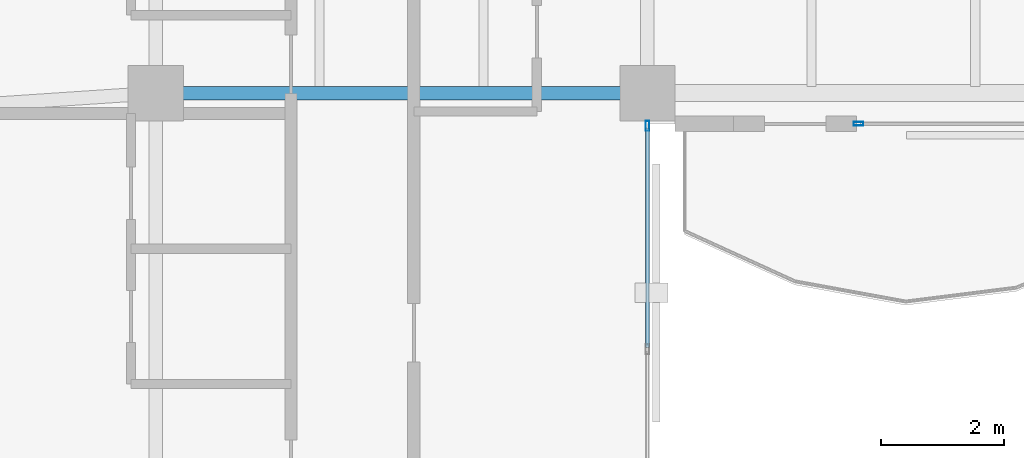
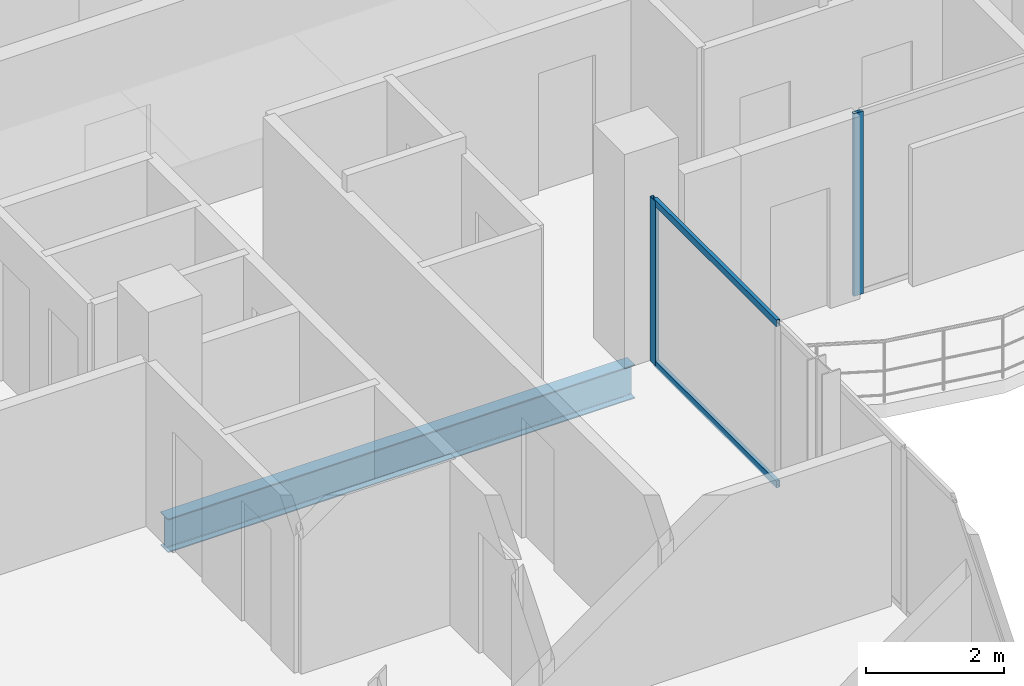
# One storey, part 8 of 24: 4 members, 1 beam, 2 elements without a shape of their own.
"""IFC4 building model written with IfcOpenShell, lengths in metres."""

from ifc_helpers import new_model, si_unit, direction, frame, origin, origin_2d, place, context, subcontext, project, spatial, hollow_rectangle, i_section, extrude, material, layer, layer_set, material_profile, profile_set, type_object, element, aggregate, save


model = new_model("IFC4")

# Units and contexts
model_context = context("Model", 3, precision=1e-05, world=origin(), true_north=direction((0.0, 1.0)))
body_context = subcontext(model_context, "Body", "Model", "MODEL_VIEW")
ifc_project = project(units=[si_unit("LENGTHUNIT", "METRE"), si_unit("AREAUNIT", "SQUARE_METRE"), si_unit("VOLUMEUNIT", "CUBIC_METRE"), si_unit("PLANEANGLEUNIT", "RADIAN"), si_unit("MASSUNIT", "GRAM", prefix="KILO")], contexts=[model_context])

# Site, building, storey
site_placement = place(None, origin())
site = spatial("IfcSite", under=ifc_project, at=site_placement, CompositionType="ELEMENT")
building_placement = place(site_placement, origin())
building = spatial("IfcBuilding", under=site, at=building_placement, Name="Catumbela Crestline Tower", CompositionType="ELEMENT")
storey_placement = place(building_placement, frame((0.0, 0.0, 237.4)))
storey = spatial("IfcBuildingStorey", under=building, at=storey_placement, Name="L61", CompositionType="ELEMENT", Elevation=237.4)

# Beam
ifc_material_1 = material(Name="Structural steel S355J2", Category="steel")
ifc_material_profile_1 = material_profile(ifc_material_1, i_section(OverallWidth=0.22, OverallDepth=0.6, WebThickness=0.012, FlangeThickness=0.019, FilletRadius=0.024, at=origin_2d()), Name="IPE 600")
ifc_profile_set_1 = profile_set([ifc_material_profile_1], Name="Structural steel S355J2")
beam_type = type_object("IfcBeamType", Name="BG-IPE600", PredefinedType="BEAM", material=ifc_profile_set_1)
beam_placement = place(storey_placement, frame((16.08, 24.5, -0.56), z_axis=(1.0, 0.0, 0.0), x_axis=(0.0, 1.0, 0.0)))
element("IfcBeam", 1, at=beam_placement, inside=storey, type_object=beam_type, Name="L61 Beam BM-L61-S03", PredefinedType="BEAM", context=body_context, shape_type="SweptSolid", body=[
    extrude(i_section(OverallWidth=0.22, OverallDepth=0.6, WebThickness=0.012, FlangeThickness=0.019, FilletRadius=0.024, at=origin_2d()), origin(), (0.0, 0.0, 1.0), 7.84),
])

# Curtain wall, member
ifc_material_2 = material(Name="Aluminium alloy AW-6060-T66", Category="aluminium")
ifc_layer = layer(ifc_material_2, 0.18, Name="Aluminium alloy AW-6060-T66")
ifc_layer_set = layer_set([ifc_layer], Name="Aluminium alloy AW-6060-T66")
curtain_wall_type = type_object("IfcCurtainWallType", Name="CWU-Z4", PredefinedType="USERDEFINED", material=ifc_layer_set)
curtain_wall_1_placement = place(storey_placement, origin())
curtain_wall_1 = element("IfcCurtainWall", 2, at=curtain_wall_1_placement, inside=storey, type_object=curtain_wall_type, Name="L61 Unitised Curtain Wall CW-L61-E2S1", ObjectType="UNITISED", PredefinedType="USERDEFINED")
ifc_material_profile_2 = material_profile(ifc_material_2, hollow_rectangle(XDim=0.06, YDim=0.16, WallThickness=0.004, at=origin_2d()), Name="ALU 160x60x4")
ifc_profile_set_2 = profile_set([ifc_material_profile_2], Name="Aluminium alloy AW-6060-T66")
member_type_1 = type_object("IfcMemberType", Name="MUL-160X60", PredefinedType="MULLION", material=ifc_profile_set_2)
member_1_placement = place(storey_placement, frame((24.0, 23.9675, 0.0), z_axis=(0.0, 0.0, 1.0), x_axis=(-1.0, 0.0, 0.0)))
member_1 = element("IfcMember", 3, at=member_1_placement, type_object=member_type_1, Name="CWU-Z4 mullion 4", PredefinedType="MULLION", context=body_context, shape_type="SweptSolid", body=[
    extrude(hollow_rectangle(XDim=0.06, YDim=0.16, WallThickness=0.004, at=origin_2d()), origin(), (0.0, 0.0, 1.0), 2.92),
])

curtain_wall_2_placement = place(storey_placement, origin())
curtain_wall_2 = element("IfcCurtainWall", 4, at=curtain_wall_2_placement, inside=storey, type_object=curtain_wall_type, Name="L61 Unitised Curtain Wall CW-L61-E3S2", ObjectType="UNITISED", PredefinedType="USERDEFINED")
member_2_placement = place(storey_placement, frame((27.4325, 24.0, 0.0), z_axis=(0.0, 0.0, 1.0), x_axis=(0.0, 1.0, 0.0)))
member_2 = element("IfcMember", 5, at=member_2_placement, type_object=member_type_1, Name="CWU-Z4 mullion 1", PredefinedType="MULLION", context=body_context, shape_type="SweptSolid", body=[
    extrude(hollow_rectangle(XDim=0.06, YDim=0.16, WallThickness=0.004, at=origin_2d()), origin(), (0.0, 0.0, 1.0), 3.24),
])
aggregate(curtain_wall_2, [member_2])

# Member
ifc_material_profile_3 = material_profile(ifc_material_2, hollow_rectangle(XDim=0.06, YDim=0.12, WallThickness=0.0035, at=origin_2d()), Name="ALU 120x60x3.5")
ifc_profile_set_3 = profile_set([ifc_material_profile_3], Name="Aluminium alloy AW-6060-T66")
member_type_2 = type_object("IfcMemberType", Name="TRN-120X60", PredefinedType="USERDEFINED", material=ifc_profile_set_3)
member_3_placement = place(storey_placement, frame((24.0, 20.3658, 0.03), z_axis=(0.0, 1.0, 0.0), x_axis=(-1.0, 0.0, 0.0)))
member_3 = element("IfcMember", 6, at=member_3_placement, type_object=member_type_2, Name="CWU-Z4 transom 3.1", ObjectType="TRANSOM", PredefinedType="USERDEFINED", context=body_context, shape_type="SweptSolid", body=[
    extrude(hollow_rectangle(XDim=0.06, YDim=0.12, WallThickness=0.0035, at=origin_2d()), origin(), (0.0, 0.0, 1.0), 3.5692),
])

member_4_placement = place(storey_placement, frame((24.0, 20.3658, 2.89), z_axis=(0.0, 1.0, 0.0), x_axis=(-1.0, 0.0, 0.0)))
member_4 = element("IfcMember", 7, at=member_4_placement, type_object=member_type_2, Name="CWU-Z4 transom 3.2", ObjectType="TRANSOM", PredefinedType="USERDEFINED", context=body_context, shape_type="SweptSolid", body=[
    extrude(hollow_rectangle(XDim=0.06, YDim=0.12, WallThickness=0.0035, at=origin_2d()), origin(), (0.0, 0.0, 1.0), 3.5692),
])

aggregate(curtain_wall_1, [member_1, member_3, member_4])

save(model, "model.ifc")
